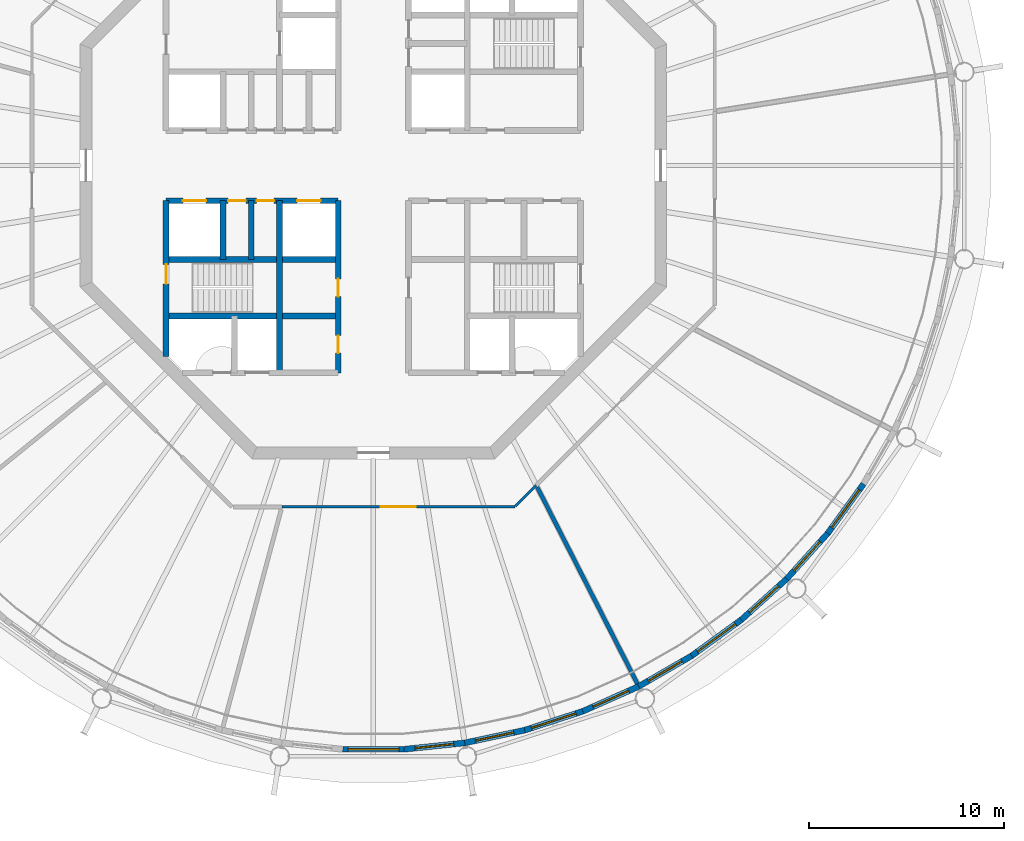
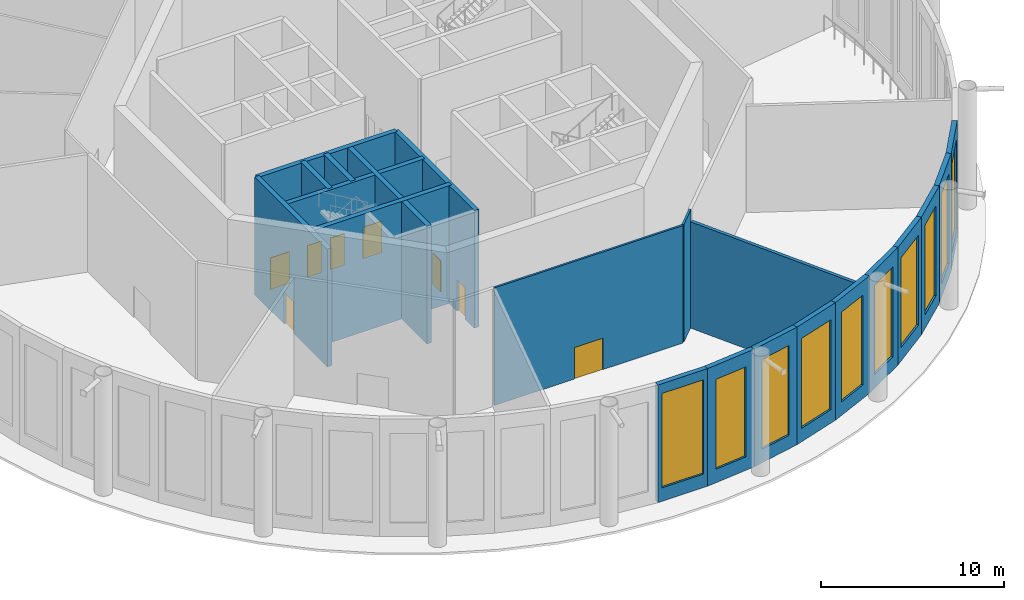
# One storey, part 4 of 17: 21 walls, 10 windows, 8 doors, 18 openings.
"""IFC4 building model written with IfcOpenShell, lengths in metres."""

from ifc_helpers import new_model, si_unit, direction, frame, frame_2d, origin, place, context, subcontext, project, spatial, polyline, rectangle, outline, extrude, material, layer, layer_set, type_object, element, fill, save


model = new_model("IFC4")

# Units and contexts
model_context = context("Model", 3, precision=1e-05, world=origin(), true_north=direction((0.0, 1.0)))
body_context = subcontext(model_context, "Body", "Model", "MODEL_VIEW")
ifc_project = project(units=[si_unit("LENGTHUNIT", "METRE"), si_unit("AREAUNIT", "SQUARE_METRE"), si_unit("VOLUMEUNIT", "CUBIC_METRE"), si_unit("PLANEANGLEUNIT", "RADIAN"), si_unit("MASSUNIT", "GRAM", prefix="KILO")], contexts=[model_context])

# Site, building, storey
site_placement = place(None, origin())
site = spatial("IfcSite", under=ifc_project, at=site_placement, CompositionType="ELEMENT")
building_placement = place(site_placement, origin())
building = spatial("IfcBuilding", under=site, at=building_placement, Name="Entoto Ring Tower", CompositionType="ELEMENT")
storey_placement = place(building_placement, frame((0.0, 0.0, 407.0)))
storey = spatial("IfcBuildingStorey", under=building, at=storey_placement, Name="L93", CompositionType="ELEMENT", Elevation=407.0)

# Wall, openings, doors
ifc_material_1 = material(Name="Concrete C40/50", Category="concrete")
ifc_layer_1 = layer(ifc_material_1, 0.300048828125)
ifc_layer_set_1 = layer_set([ifc_layer_1], Name="Concrete C40/50")
wall_type_1 = type_object("IfcWallType", Name="Core enclosure wall 300 mm reinforced concrete", PredefinedType="SOLIDWALL", material=ifc_layer_set_1)
wall_1_placement = place(storey_placement, frame((88.199951171875, 69.39990234375, 0.0), z_axis=(0.0, 0.0, 1.0), x_axis=(0.0, 1.0, 0.0)))
wall_1 = element("IfcWall", 1, at=wall_1_placement, inside=storey, type_object=wall_type_1, Name="wall-L93-010", PredefinedType="SOLIDWALL", context=body_context, shape_type="SweptSolid", body=[
    extrude(rectangle(XDim=8.800048828125, YDim=0.300048828125, at=frame_2d((4.39990234375, 0.0))), origin(), (0.0, 0.0, 1.0), 7.85009765625),
])
opening_1_placement = place(wall_1_placement, frame((3.89990234375, 0.0, 0.0)))
opening_1 = element("IfcOpeningElement", 2, at=opening_1_placement, cuts=wall_1, Name="Opening K-71", PredefinedType="OPENING", context=body_context, shape_type="SweptSolid", body=[
    extrude(rectangle(XDim=0.89990234375, YDim=2.10009765625, at=frame_2d((0.449951171875, 1.050048828125))), frame((0.0, 0.16015625, 0.0), z_axis=(0.0, -1.0, 0.0), x_axis=(1.0, 0.0, 0.0)), (0.0, 0.0, 1.0), 0.320068359375),
])
opening_2_placement = place(wall_1_placement, frame((1.0, 0.0, 0.0)))
opening_2 = element("IfcOpeningElement", 3, at=opening_2_placement, cuts=wall_1, Name="Opening K-24", PredefinedType="OPENING", context=body_context, shape_type="SweptSolid", body=[
    extrude(rectangle(XDim=0.89990234375, YDim=2.10009765625, at=frame_2d((0.449951171875, 1.050048828125))), frame((0.0, 0.16015625, 0.0), z_axis=(0.0, -1.0, 0.0), x_axis=(1.0, 0.0, 0.0)), (0.0, 0.0, 1.0), 0.320068359375),
])
ifc_material_2 = material(Name="Steel door leaf, fire rated", Category="steel")
ifc_layer_2 = layer(ifc_material_2, 0.050048828125)
ifc_layer_set_2 = layer_set([ifc_layer_2], Name="Steel door leaf, fire rated")
door_type_1 = type_object("IfcDoorType", Name="Core door 900 x 2100 single leaf", OperationType="NOTDEFINED", PredefinedType="DOOR", material=ifc_layer_set_2)
door_1_placement = place(opening_1_placement, origin())
door_1 = element("IfcDoor", 4, at=door_1_placement, inside=storey, type_object=door_type_1, Name="Door K-71", OperationType="SINGLE_SWING_RIGHT", OverallHeight=2.10009765625, OverallWidth=0.89990234375, PredefinedType="DOOR", context=body_context, shape_type="SweptSolid", body=[
    extrude(rectangle(XDim=0.89990234375, YDim=2.10009765625, at=frame_2d((0.449951171875, 1.050048828125))), frame((0.0, 0.02490234375, 0.0), z_axis=(0.0, -1.0, 0.0), x_axis=(1.0, 0.0, 0.0)), (0.0, 0.0, 1.0), 0.050048828125),
])
fill(opening_1, door_1)
door_2_placement = place(opening_2_placement, origin())
door_2 = element("IfcDoor", 5, at=door_2_placement, inside=storey, type_object=door_type_1, Name="Door K-24", OperationType="SINGLE_SWING_RIGHT", OverallHeight=2.10009765625, OverallWidth=0.89990234375, PredefinedType="DOOR", context=body_context, shape_type="SweptSolid", body=[
    extrude(rectangle(XDim=0.89990234375, YDim=2.10009765625, at=frame_2d((0.449951171875, 1.050048828125))), frame((0.0, 0.02490234375, 0.0), z_axis=(0.0, -1.0, 0.0), x_axis=(1.0, 0.0, 0.0)), (0.0, 0.0, 1.0), 0.050048828125),
])
fill(opening_2, door_2)

# Walls
wall_2_placement = place(storey_placement, frame((85.199951171875, 69.39990234375, 0.0), z_axis=(0.0, 0.0, 1.0), x_axis=(0.0, 1.0, 0.0)))
element("IfcWall", 6, at=wall_2_placement, inside=storey, type_object=wall_type_1, Name="wall-L93-013", PredefinedType="SOLIDWALL", context=body_context, shape_type="SweptSolid", body=[
    extrude(rectangle(XDim=8.800048828125, YDim=0.300048828125, at=frame_2d((4.39990234375, 0.0))), origin(), (0.0, 0.0, 1.0), 7.85009765625),
])
for number, where, z_axis, x_axis, name in (
    (7, (83.75, 75.199951171875, 0.0), (0.0, 0.0, 1.0), (0.0, 1.0, 0.0), "wall-L93-015"),
    (8, (82.300048828125, 75.199951171875, 0.0), (0.0, 0.0, 1.0), (0.0, 1.0, 0.0), "wall-L93-018"),
):
    element("IfcWall", number, at=place(storey_placement, frame(where, z_axis=z_axis, x_axis=x_axis)), inside=storey, type_object=wall_type_1, Name=name, PredefinedType="SOLIDWALL", context=body_context, shape_type="SweptSolid", body=[
        extrude(rectangle(XDim=3.0, YDim=0.300048828125, at=frame_2d((1.5, 0.0))), origin(), (0.0, 0.0, 1.0), 7.85009765625),
    ])

# Wall, opening, door
wall_3_placement = place(storey_placement, frame((79.39990234375, 70.2353515625, 0.0), z_axis=(0.0, 0.0, 1.0), x_axis=(0.0, 1.0, 0.0)))
wall_3 = element("IfcWall", 9, at=wall_3_placement, inside=storey, type_object=wall_type_1, Name="wall-L93-020", PredefinedType="SOLIDWALL", context=body_context, shape_type="SweptSolid", body=[
    extrude(rectangle(XDim=7.964599609375, YDim=0.300048828125, at=frame_2d((3.982421875, 0.0))), origin(), (0.0, 0.0, 1.0), 7.85009765625),
])
opening_3_placement = place(wall_3_placement, frame((3.714599609375, 0.0, 0.0)))
opening_3 = element("IfcOpeningElement", 10, at=opening_3_placement, cuts=wall_3, Name="Opening K-29", PredefinedType="OPENING", context=body_context, shape_type="SweptSolid", body=[
    extrude(rectangle(XDim=1.0, YDim=2.10009765625, at=frame_2d((0.5, 1.050048828125))), frame((0.0, 0.16015625, 0.0), z_axis=(0.0, -1.0, 0.0), x_axis=(1.0, 0.0, 0.0)), (0.0, 0.0, 1.0), 0.320068359375),
])
ifc_material_3 = material(Name="Steel door leaf, fire rated", Category="steel")
ifc_layer_3 = layer(ifc_material_3, 0.050048828125)
ifc_layer_set_3 = layer_set([ifc_layer_3], Name="Steel door leaf, fire rated")
door_type_2 = type_object("IfcDoorType", Name="Fire door FD60 1000 x 2100 single leaf", OperationType="NOTDEFINED", PredefinedType="DOOR", material=ifc_layer_set_3)
door_3_placement = place(opening_3_placement, frame((1.0, 0.0, 0.0), z_axis=(0.0, 0.0, 1.0), x_axis=(-1.0, 0.0, 0.0)))
door_3 = element("IfcDoor", 11, at=door_3_placement, inside=storey, type_object=door_type_2, Name="Door K-29", OperationType="SINGLE_SWING_LEFT", OverallHeight=2.10009765625, OverallWidth=1.0, PredefinedType="DOOR", context=body_context, shape_type="SweptSolid", body=[
    extrude(rectangle(XDim=1.0, YDim=2.10009765625, at=frame_2d((0.5, 1.050048828125))), frame((0.0, 0.02490234375, 0.0), z_axis=(0.0, -1.0, 0.0), x_axis=(1.0, 0.0, 0.0)), (0.0, 0.0, 1.0), 0.050048828125),
])
fill(opening_3, door_3)

# Walls
for number, where, z_axis, x_axis, name in (
    (12, (79.39990234375, 72.300048828125, 0.0), (0.0, 0.0, 1.0), (1.0, 0.0, 0.0), "wall-L93-024"),
    (13, (79.39990234375, 75.199951171875, 0.0), (0.0, 0.0, 1.0), (1.0, 0.0, 0.0), "wall-L93-026"),
):
    element("IfcWall", number, at=place(storey_placement, frame(where, z_axis=z_axis, x_axis=x_axis)), inside=storey, type_object=wall_type_1, Name=name, PredefinedType="SOLIDWALL", context=body_context, shape_type="SweptSolid", body=[
        extrude(rectangle(XDim=8.800048828125, YDim=0.300048828125, at=frame_2d((4.39990234375, 0.0))), origin(), (0.0, 0.0, 1.0), 7.85009765625),
    ])

# Wall, openings, doors
wall_4_placement = place(storey_placement, frame((79.39990234375, 78.199951171875, 0.0), z_axis=(0.0, 0.0, 1.0), x_axis=(1.0, 0.0, 0.0)))
wall_4 = element("IfcWall", 14, at=wall_4_placement, inside=storey, type_object=wall_type_1, Name="wall-L93-028", PredefinedType="SOLIDWALL", context=body_context, shape_type="SweptSolid", body=[
    extrude(rectangle(XDim=8.800048828125, YDim=0.300048828125, at=frame_2d((4.39990234375, 0.0))), origin(), (0.0, 0.0, 1.0), 7.85009765625),
])
opening_4_placement = place(wall_4_placement, frame((0.85009765625, 0.0, 0.0)))
opening_4 = element("IfcOpeningElement", 15, at=opening_4_placement, cuts=wall_4, Name="Opening LD", PredefinedType="OPENING", context=body_context, shape_type="SweptSolid", body=[
    extrude(rectangle(XDim=1.199951171875, YDim=2.10009765625, at=frame_2d((0.60009765625, 1.050048828125))), frame((0.0, 0.16015625, 0.0), z_axis=(0.0, -1.0, 0.0), x_axis=(1.0, 0.0, 0.0)), (0.0, 0.0, 1.0), 0.320068359375),
])
opening_5_placement = place(wall_4_placement, frame((6.699951171875, 0.0, 0.0)))
opening_5 = element("IfcOpeningElement", 16, at=opening_5_placement, cuts=wall_4, Name="Opening LD", PredefinedType="OPENING", context=body_context, shape_type="SweptSolid", body=[
    extrude(rectangle(XDim=1.199951171875, YDim=2.10009765625, at=frame_2d((0.60009765625, 1.050048828125))), frame((0.0, 0.16015625, 0.0), z_axis=(0.0, -1.0, 0.0), x_axis=(1.0, 0.0, 0.0)), (0.0, 0.0, 1.0), 0.320068359375),
])
opening_6_placement = place(wall_4_placement, frame((3.175048828125, 0.0, 0.0)))
opening_6 = element("IfcOpeningElement", 17, at=opening_6_placement, cuts=wall_4, Name="Opening K-18", PredefinedType="OPENING", context=body_context, shape_type="SweptSolid", body=[
    extrude(rectangle(XDim=0.89990234375, YDim=2.10009765625, at=frame_2d((0.449951171875, 1.050048828125))), frame((0.0, 0.16015625, 0.0), z_axis=(0.0, -1.0, 0.0), x_axis=(1.0, 0.0, 0.0)), (0.0, 0.0, 1.0), 0.320068359375),
])
opening_7_placement = place(wall_4_placement, frame((4.625, 0.0, 0.0)))
opening_7 = element("IfcOpeningElement", 18, at=opening_7_placement, cuts=wall_4, Name="Opening K-19", PredefinedType="OPENING", context=body_context, shape_type="SweptSolid", body=[
    extrude(rectangle(XDim=0.89990234375, YDim=2.10009765625, at=frame_2d((0.449951171875, 1.050048828125))), frame((0.0, 0.16015625, 0.0), z_axis=(0.0, -1.0, 0.0), x_axis=(1.0, 0.0, 0.0)), (0.0, 0.0, 1.0), 0.320068359375),
])
door_4_placement = place(opening_6_placement, frame((0.89990234375, 0.0, 0.0), z_axis=(0.0, 0.0, 1.0), x_axis=(-1.0, 0.0, 0.0)))
door_4 = element("IfcDoor", 19, at=door_4_placement, inside=storey, type_object=door_type_1, Name="Door K-18", OperationType="SINGLE_SWING_LEFT", OverallHeight=2.10009765625, OverallWidth=0.89990234375, PredefinedType="DOOR", context=body_context, shape_type="SweptSolid", body=[
    extrude(rectangle(XDim=0.89990234375, YDim=2.10009765625, at=frame_2d((0.449951171875, 1.050048828125))), frame((0.0, 0.02490234375, 0.0), z_axis=(0.0, -1.0, 0.0), x_axis=(1.0, 0.0, 0.0)), (0.0, 0.0, 1.0), 0.050048828125),
])
fill(opening_6, door_4)
door_5_placement = place(opening_7_placement, frame((0.89990234375, 0.0, 0.0), z_axis=(0.0, 0.0, 1.0), x_axis=(-1.0, 0.0, 0.0)))
door_5 = element("IfcDoor", 20, at=door_5_placement, inside=storey, type_object=door_type_1, Name="Door K-19", OperationType="SINGLE_SWING_LEFT", OverallHeight=2.10009765625, OverallWidth=0.89990234375, PredefinedType="DOOR", context=body_context, shape_type="SweptSolid", body=[
    extrude(rectangle(XDim=0.89990234375, YDim=2.10009765625, at=frame_2d((0.449951171875, 1.050048828125))), frame((0.0, 0.02490234375, 0.0), z_axis=(0.0, -1.0, 0.0), x_axis=(1.0, 0.0, 0.0)), (0.0, 0.0, 1.0), 0.050048828125),
])
fill(opening_7, door_5)
ifc_material_4 = material(Name="Steel and glass door leaf", Category="steel")
ifc_layer_4 = layer(ifc_material_4, 0.050048828125)
ifc_layer_set_4 = layer_set([ifc_layer_4], Name="Steel and glass door leaf")
door_type_3 = type_object("IfcDoorType", Name="Landing door 1200 x 2100 sliding", OperationType="DOUBLE_DOOR_SLIDING", PredefinedType="DOOR", material=ifc_layer_set_4)
door_6_placement = place(opening_4_placement, origin())
door_6 = element("IfcDoor", 21, at=door_6_placement, inside=storey, type_object=door_type_3, Name="Landing door SH2", OperationType="SLIDING_TO_RIGHT", OverallHeight=2.10009765625, OverallWidth=1.199951171875, PredefinedType="DOOR", context=body_context, shape_type="SweptSolid", body=[
    extrude(rectangle(XDim=1.199951171875, YDim=2.10009765625, at=frame_2d((0.60009765625, 1.050048828125))), frame((0.0, 0.02490234375, 0.0), z_axis=(0.0, -1.0, 0.0), x_axis=(1.0, 0.0, 0.0)), (0.0, 0.0, 1.0), 0.050048828125),
])
fill(opening_4, door_6)
door_7_placement = place(opening_5_placement, origin())
door_7 = element("IfcDoor", 22, at=door_7_placement, inside=storey, type_object=door_type_3, Name="Landing door OB2", OperationType="SLIDING_TO_LEFT", OverallHeight=2.10009765625, OverallWidth=1.199951171875, PredefinedType="DOOR", context=body_context, shape_type="SweptSolid", body=[
    extrude(rectangle(XDim=1.199951171875, YDim=2.10009765625, at=frame_2d((0.60009765625, 1.050048828125))), frame((0.0, 0.02490234375, 0.0), z_axis=(0.0, -1.0, 0.0), x_axis=(1.0, 0.0, 0.0)), (0.0, 0.0, 1.0), 0.050048828125),
])
fill(opening_5, door_7)

# Wall, opening, door
ifc_material_5 = material(Name="Fire-resisting plasterboard on steel studs", Category="steel")
ifc_layer_5 = layer(ifc_material_5, 0.125)
ifc_layer_set_5 = layer_set([ifc_layer_5], Name="Fire-resisting plasterboard on steel studs")
wall_type_2 = type_object("IfcWallType", Name="Corridor wall 125 mm one-hour plasterboard on steel studs", PredefinedType="PARTITIONING", material=ifc_layer_set_5)
wall_5_placement = place(storey_placement, frame((85.32080078125, 62.53759765625, 0.0), z_axis=(0.0, 0.0, 1.0), x_axis=(1.0, 0.0, 0.0)))
wall_5 = element("IfcWall", 23, at=wall_5_placement, inside=storey, type_object=wall_type_2, Name="partition-L93-004", PredefinedType="PARTITIONING", context=body_context, shape_type="SweptSolid", body=[
    extrude(rectangle(XDim=11.912353515625, YDim=0.125, at=frame_2d((5.9560546875, 0.0))), origin(), (0.0, 0.0, 1.0), 7.85009765625),
])
opening_8_placement = place(wall_5_placement, frame((5.05615234375, 0.0, 0.0)))
opening_8 = element("IfcOpeningElement", 24, at=opening_8_placement, cuts=wall_5, Name="Opening A41-D10", PredefinedType="OPENING", context=body_context, shape_type="SweptSolid", body=[
    extrude(rectangle(XDim=1.800048828125, YDim=2.10009765625, at=frame_2d((0.89990234375, 1.050048828125))), frame((0.0, 0.072509765625, 0.0), z_axis=(0.0, -1.0, 0.0), x_axis=(1.0, 0.0, 0.0)), (0.0, 0.0, 1.0), 0.14501953125),
])
ifc_material_6 = material(Name="Fire-resisting timber door set", Category="wood")
door_type_4 = type_object("IfcDoorType", Name="Door 1800 x 2100 double leaf FD30S fire door", OperationType="DOUBLE_DOOR_SINGLE_SWING", PredefinedType="DOOR", material=ifc_material_6)
door_8_placement = place(opening_8_placement, origin())
door_8 = element("IfcDoor", 25, at=door_8_placement, inside=storey, type_object=door_type_4, Name="Door A41-D10", OperationType="DOUBLE_DOOR_SINGLE_SWING", OverallHeight=2.10009765625, OverallWidth=1.800048828125, PredefinedType="DOOR", context=body_context, shape_type="SweptSolid", body=[
    extrude(rectangle(XDim=1.800048828125, YDim=2.10009765625, at=frame_2d((0.89990234375, 1.050048828125))), frame((0.0, 0.02490234375, 0.0), z_axis=(0.0, -1.0, 0.0), x_axis=(1.0, 0.0, 0.0)), (0.0, 0.0, 1.0), 0.050048828125),
])
fill(opening_8, door_8)

# Wall
wall_6_placement = place(storey_placement, frame((97.264404296875, 62.568603515625, 0.0), z_axis=(0.0, 0.0, 1.0), x_axis=(0.70702621299, 0.707187340204, 0.0)))
element("IfcWall", 26, at=wall_6_placement, inside=storey, type_object=wall_type_2, Name="partition-L93-007", PredefinedType="PARTITIONING", context=body_context, shape_type="SweptSolid", body=[
    extrude(rectangle(XDim=1.51513671875, YDim=0.125, at=frame_2d((0.757568359375, 0.0))), origin(), (0.0, 0.0, 1.0), 7.85009765625),
])

# Wall, opening, window
ifc_material_7 = material(Name="Insulated aluminium rainscreen on steel studs", Category="steel")
ifc_layer_6 = layer(ifc_material_7, 0.300048828125)
ifc_layer_set_6 = layer_set([ifc_layer_6], Name="Insulated aluminium rainscreen on steel studs")
wall_type_3 = type_object("IfcWallType", Name="Observation facade wall 300 mm", PredefinedType="STANDARD", material=ifc_layer_set_6)
wall_7_placement = place(storey_placement, frame((88.43505859375, 50.140869140625, 0.0), z_axis=(0.0, 0.0, 1.0), x_axis=(1.0, 0.0, 0.0)))
wall_7 = element("IfcWall", 27, at=wall_7_placement, inside=storey, type_object=wall_type_3, Name="OBSERVATION WALL 43", PredefinedType="STANDARD", context=body_context, shape_type="SweptSolid", body=[
    extrude(outline(polyline([(-0.0078125, -0.14990234375), (3.1376953125, -0.14990234375), (3.1220703125, 0.14990234375), (0.0078125, 0.14990234375), (-0.0078125, -0.14990234375)])), origin(), (0.0, 0.0, 1.0), 7.85009765625),
])
opening_9_placement = place(wall_7_placement, frame((0.264892578125, 0.0, 0.89990234375)))
opening_9 = element("IfcOpeningElement", 28, at=opening_9_placement, cuts=wall_7, Name="Opening W3", PredefinedType="OPENING", context=body_context, shape_type="SweptSolid", body=[
    extrude(rectangle(XDim=2.60009765625, YDim=6.300048828125, at=frame_2d((1.300048828125, 3.14990234375))), frame((0.0, 0.16015625, 0.0), z_axis=(0.0, -1.0, 0.0), x_axis=(1.0, 0.0, 0.0)), (0.0, 0.0, 1.0), 0.320068359375),
])
ifc_material_8 = material(Name="Clear low-iron glass in anodised aluminium frame", Category="aluminium")
window_type_1 = type_object("IfcWindowType", Name="Observation window W3 2600 x 6300 mm fixed", PartitioningType="SINGLE_PANEL", PredefinedType="WINDOW", material=ifc_material_8)
window_1_placement = place(opening_9_placement, origin())
window_1 = element("IfcWindow", 29, at=window_1_placement, inside=storey, type_object=window_type_1, Name="OBSERVATION WINDOW 43", OverallHeight=6.300048828125, OverallWidth=2.60009765625, PartitioningType="SINGLE_PANEL", PredefinedType="WINDOW", context=body_context, shape_type="SweptSolid", body=[
    extrude(rectangle(XDim=2.60009765625, YDim=6.300048828125, at=frame_2d((1.300048828125, 3.14990234375))), frame((0.0, 0.030029296875, 0.0), z_axis=(0.0, -1.0, 0.0), x_axis=(1.0, 0.0, 0.0)), (0.0, 0.0, 1.0), 0.06005859375),
])
fill(opening_9, window_1)

wall_8_placement = place(storey_placement, frame((91.56494140625, 50.140869140625, 0.0), z_axis=(0.0, 0.0, 1.0), x_axis=(0.994521683674, 0.10453047738, 0.0)))
wall_8 = element("IfcWall", 30, at=wall_8_placement, inside=storey, type_object=wall_type_3, Name="OBSERVATION WALL 44", PredefinedType="STANDARD", context=body_context, shape_type="SweptSolid", body=[
    extrude(outline(polyline([(-0.0078125, -0.14990234375), (3.137451171875, -0.14990234375), (3.121826171875, 0.14990234375), (0.0078125, 0.14990234375), (-0.0078125, -0.14990234375)])), origin(), (0.0, 0.0, 1.0), 7.85009765625),
])
opening_10_placement = place(wall_8_placement, frame((0.56494140625, 0.0, 0.89990234375)))
opening_10 = element("IfcOpeningElement", 31, at=opening_10_placement, cuts=wall_8, Name="Opening W2", PredefinedType="OPENING", context=body_context, shape_type="SweptSolid", body=[
    extrude(rectangle(XDim=2.0, YDim=6.0, at=frame_2d((1.0, 3.0))), frame((0.0, 0.16015625, 0.0), z_axis=(0.0, -1.0, 0.0), x_axis=(1.0, 0.0, 0.0)), (0.0, 0.0, 1.0), 0.320068359375),
])
ifc_material_9 = material(Name="Clear low-iron glass in anodised aluminium frame", Category="aluminium")
window_type_2 = type_object("IfcWindowType", Name="Observation window W2 2000 x 6000 mm fixed", PartitioningType="SINGLE_PANEL", PredefinedType="WINDOW", material=ifc_material_9)
window_2_placement = place(opening_10_placement, origin())
window_2 = element("IfcWindow", 32, at=window_2_placement, inside=storey, type_object=window_type_2, Name="OBSERVATION WINDOW 44", OverallHeight=6.0, OverallWidth=2.0, PartitioningType="SINGLE_PANEL", PredefinedType="WINDOW", context=body_context, shape_type="SweptSolid", body=[
    extrude(rectangle(XDim=2.0, YDim=6.0, at=frame_2d((1.0, 3.0))), frame((0.0, 0.030029296875, 0.0), z_axis=(0.0, -1.0, 0.0), x_axis=(1.0, 0.0, 0.0)), (0.0, 0.0, 1.0), 0.06005859375),
])
fill(opening_10, window_2)

wall_9_placement = place(storey_placement, frame((94.677490234375, 50.468017578125, 0.0), z_axis=(0.0, 0.0, 1.0), x_axis=(0.978135649005, 0.207967911336, 0.0)))
wall_9 = element("IfcWall", 33, at=wall_9_placement, inside=storey, type_object=wall_type_3, Name="OBSERVATION WALL 45", PredefinedType="STANDARD", context=body_context, shape_type="SweptSolid", body=[
    extrude(outline(polyline([(-0.0078125, -0.14990234375), (3.137451171875, -0.14990234375), (3.121826171875, 0.14990234375), (0.0078125, 0.14990234375), (-0.0078125, -0.14990234375)])), origin(), (0.0, 0.0, 1.0), 7.85009765625),
])
opening_11_placement = place(wall_9_placement, frame((0.56494140625, 0.0, 0.89990234375)))
opening_11 = element("IfcOpeningElement", 34, at=opening_11_placement, cuts=wall_9, Name="Opening W2", PredefinedType="OPENING", context=body_context, shape_type="SweptSolid", body=[
    extrude(rectangle(XDim=2.0, YDim=6.0, at=frame_2d((1.0, 3.0))), frame((0.0, 0.16015625, 0.0), z_axis=(0.0, -1.0, 0.0), x_axis=(1.0, 0.0, 0.0)), (0.0, 0.0, 1.0), 0.320068359375),
])
window_3_placement = place(opening_11_placement, origin())
window_3 = element("IfcWindow", 35, at=window_3_placement, inside=storey, type_object=window_type_2, Name="OBSERVATION WINDOW 45", OverallHeight=6.0, OverallWidth=2.0, PartitioningType="SINGLE_PANEL", PredefinedType="WINDOW", context=body_context, shape_type="SweptSolid", body=[
    extrude(rectangle(XDim=2.0, YDim=6.0, at=frame_2d((1.0, 3.0))), frame((0.0, 0.030029296875, 0.0), z_axis=(0.0, -1.0, 0.0), x_axis=(1.0, 0.0, 0.0)), (0.0, 0.0, 1.0), 0.06005859375),
])
fill(opening_11, window_3)

wall_10_placement = place(storey_placement, frame((97.73876953125, 51.118896484375, 0.0), z_axis=(0.0, 0.0, 1.0), x_axis=(0.951058717696, 0.309010219079, 0.0)))
wall_10 = element("IfcWall", 36, at=wall_10_placement, inside=storey, type_object=wall_type_3, Name="OBSERVATION WALL 46", PredefinedType="STANDARD", context=body_context, shape_type="SweptSolid", body=[
    extrude(outline(polyline([(-0.0078125, -0.14990234375), (3.13720703125, -0.14990234375), (3.12158203125, 0.14990234375), (0.0078125, 0.14990234375), (-0.0078125, -0.14990234375)])), origin(), (0.0, 0.0, 1.0), 7.85009765625),
])
opening_12_placement = place(wall_10_placement, frame((0.36474609375, 0.0, 0.89990234375)))
opening_12 = element("IfcOpeningElement", 37, at=opening_12_placement, cuts=wall_10, Name="Opening W1", PredefinedType="OPENING", context=body_context, shape_type="SweptSolid", body=[
    extrude(rectangle(XDim=2.39990234375, YDim=6.0, at=frame_2d((1.199951171875, 3.0))), frame((0.0, 0.16015625, 0.0), z_axis=(0.0, -1.0, 0.0), x_axis=(1.0, 0.0, 0.0)), (0.0, 0.0, 1.0), 0.320068359375),
])
ifc_material_10 = material(Name="Clear low-iron glass in anodised aluminium frame", Category="aluminium")
window_type_3 = type_object("IfcWindowType", Name="Observation window W1 2400 x 6000 mm fixed", PartitioningType="SINGLE_PANEL", PredefinedType="WINDOW", material=ifc_material_10)
window_4_placement = place(opening_12_placement, origin())
window_4 = element("IfcWindow", 38, at=window_4_placement, inside=storey, type_object=window_type_3, Name="OBSERVATION WINDOW 46", OverallHeight=6.0, OverallWidth=2.39990234375, PartitioningType="SINGLE_PANEL", PredefinedType="WINDOW", context=body_context, shape_type="SweptSolid", body=[
    extrude(rectangle(XDim=2.39990234375, YDim=6.0, at=frame_2d((1.199951171875, 3.0))), frame((0.0, 0.030029296875, 0.0), z_axis=(0.0, -1.0, 0.0), x_axis=(1.0, 0.0, 0.0)), (0.0, 0.0, 1.0), 0.06005859375),
])
fill(opening_12, window_4)

wall_11_placement = place(storey_placement, frame((100.715087890625, 52.0859375, 0.0), z_axis=(0.0, 0.0, 1.0), x_axis=(0.913547577445, 0.406731881889, 0.0)))
wall_11 = element("IfcWall", 39, at=wall_11_placement, inside=storey, type_object=wall_type_3, Name="OBSERVATION WALL 47", PredefinedType="STANDARD", context=body_context, shape_type="SweptSolid", body=[
    extrude(outline(polyline([(-0.0078125, -0.14990234375), (3.137451171875, -0.14990234375), (3.121826171875, 0.14990234375), (0.0078125, 0.14990234375), (-0.0078125, -0.14990234375)])), origin(), (0.0, 0.0, 1.0), 7.85009765625),
])
opening_13_placement = place(wall_11_placement, frame((0.56494140625, 0.0, 0.89990234375)))
opening_13 = element("IfcOpeningElement", 40, at=opening_13_placement, cuts=wall_11, Name="Opening W2", PredefinedType="OPENING", context=body_context, shape_type="SweptSolid", body=[
    extrude(rectangle(XDim=2.0, YDim=6.0, at=frame_2d((1.0, 3.0))), frame((0.0, 0.16015625, 0.0), z_axis=(0.0, -1.0, 0.0), x_axis=(1.0, 0.0, 0.0)), (0.0, 0.0, 1.0), 0.320068359375),
])
window_5_placement = place(opening_13_placement, origin())
window_5 = element("IfcWindow", 41, at=window_5_placement, inside=storey, type_object=window_type_2, Name="OBSERVATION WINDOW 47", OverallHeight=6.0, OverallWidth=2.0, PartitioningType="SINGLE_PANEL", PredefinedType="WINDOW", context=body_context, shape_type="SweptSolid", body=[
    extrude(rectangle(XDim=2.0, YDim=6.0, at=frame_2d((1.0, 3.0))), frame((0.0, 0.030029296875, 0.0), z_axis=(0.0, -1.0, 0.0), x_axis=(1.0, 0.0, 0.0)), (0.0, 0.0, 1.0), 0.06005859375),
])
fill(opening_13, window_5)

wall_12_placement = place(storey_placement, frame((103.57421875, 53.35888671875, 0.0), z_axis=(0.0, 0.0, 1.0), x_axis=(0.866016712352, 0.5000150537, 0.0)))
wall_12 = element("IfcWall", 42, at=wall_12_placement, inside=storey, type_object=wall_type_3, Name="OBSERVATION WALL 48", PredefinedType="STANDARD", context=body_context, shape_type="SweptSolid", body=[
    extrude(outline(polyline([(-0.0078125, -0.14990234375), (3.1376953125, -0.14990234375), (3.1220703125, 0.14990234375), (0.0078125, 0.14990234375), (-0.0078125, -0.14990234375)])), origin(), (0.0, 0.0, 1.0), 7.85009765625),
])
opening_14_placement = place(wall_12_placement, frame((0.56494140625, 0.0, 0.89990234375)))
opening_14 = element("IfcOpeningElement", 43, at=opening_14_placement, cuts=wall_12, Name="Opening W2", PredefinedType="OPENING", context=body_context, shape_type="SweptSolid", body=[
    extrude(rectangle(XDim=2.0, YDim=6.0, at=frame_2d((1.0, 3.0))), frame((0.0, 0.16015625, 0.0), z_axis=(0.0, -1.0, 0.0), x_axis=(1.0, 0.0, 0.0)), (0.0, 0.0, 1.0), 0.320068359375),
])
window_6_placement = place(opening_14_placement, origin())
window_6 = element("IfcWindow", 44, at=window_6_placement, inside=storey, type_object=window_type_2, Name="OBSERVATION WINDOW 48", OverallHeight=6.0, OverallWidth=2.0, PartitioningType="SINGLE_PANEL", PredefinedType="WINDOW", context=body_context, shape_type="SweptSolid", body=[
    extrude(rectangle(XDim=2.0, YDim=6.0, at=frame_2d((1.0, 3.0))), frame((0.0, 0.030029296875, 0.0), z_axis=(0.0, -1.0, 0.0), x_axis=(1.0, 0.0, 0.0)), (0.0, 0.0, 1.0), 0.06005859375),
])
fill(opening_14, window_6)

wall_13_placement = place(storey_placement, frame((106.28466796875, 54.923828125, 0.0), z_axis=(0.0, 0.0, 1.0), x_axis=(0.809015976417, 0.587786653389, 0.0)))
wall_13 = element("IfcWall", 45, at=wall_13_placement, inside=storey, type_object=wall_type_3, Name="OBSERVATION WALL 49", PredefinedType="STANDARD", context=body_context, shape_type="SweptSolid", body=[
    extrude(outline(polyline([(-0.0078125, -0.14990234375), (3.137451171875, -0.14990234375), (3.121826171875, 0.14990234375), (0.0078125, 0.14990234375), (-0.0078125, -0.14990234375)])), origin(), (0.0, 0.0, 1.0), 7.85009765625),
])
opening_15_placement = place(wall_13_placement, frame((0.36474609375, 0.0, 0.89990234375)))
opening_15 = element("IfcOpeningElement", 46, at=opening_15_placement, cuts=wall_13, Name="Opening W1", PredefinedType="OPENING", context=body_context, shape_type="SweptSolid", body=[
    extrude(rectangle(XDim=2.39990234375, YDim=6.0, at=frame_2d((1.199951171875, 3.0))), frame((0.0, 0.16015625, 0.0), z_axis=(0.0, -1.0, 0.0), x_axis=(1.0, 0.0, 0.0)), (0.0, 0.0, 1.0), 0.320068359375),
])
window_7_placement = place(opening_15_placement, origin())
window_7 = element("IfcWindow", 47, at=window_7_placement, inside=storey, type_object=window_type_3, Name="OBSERVATION WINDOW 49", OverallHeight=6.0, OverallWidth=2.39990234375, PartitioningType="SINGLE_PANEL", PredefinedType="WINDOW", context=body_context, shape_type="SweptSolid", body=[
    extrude(rectangle(XDim=2.39990234375, YDim=6.0, at=frame_2d((1.199951171875, 3.0))), frame((0.0, 0.030029296875, 0.0), z_axis=(0.0, -1.0, 0.0), x_axis=(1.0, 0.0, 0.0)), (0.0, 0.0, 1.0), 0.06005859375),
])
fill(opening_15, window_7)

wall_14_placement = place(storey_placement, frame((108.816650390625, 56.763427734375, 0.0), z_axis=(0.0, 0.0, 1.0), x_axis=(0.743189407153, 0.669081090075, 0.0)))
wall_14 = element("IfcWall", 48, at=wall_14_placement, inside=storey, type_object=wall_type_3, Name="OBSERVATION WALL 50", PredefinedType="STANDARD", context=body_context, shape_type="SweptSolid", body=[
    extrude(outline(polyline([(-0.0078125, -0.14990234375), (3.137451171875, -0.14990234375), (3.121826171875, 0.14990234375), (0.0078125, 0.14990234375), (-0.0078125, -0.14990234375)])), origin(), (0.0, 0.0, 1.0), 7.85009765625),
])
opening_16_placement = place(wall_14_placement, frame((0.56494140625, 0.0, 0.89990234375)))
opening_16 = element("IfcOpeningElement", 49, at=opening_16_placement, cuts=wall_14, Name="Opening W2", PredefinedType="OPENING", context=body_context, shape_type="SweptSolid", body=[
    extrude(rectangle(XDim=2.0, YDim=6.0, at=frame_2d((1.0, 3.0))), frame((0.0, 0.16015625, 0.0), z_axis=(0.0, -1.0, 0.0), x_axis=(1.0, 0.0, 0.0)), (0.0, 0.0, 1.0), 0.320068359375),
])
window_8_placement = place(opening_16_placement, origin())
window_8 = element("IfcWindow", 50, at=window_8_placement, inside=storey, type_object=window_type_2, Name="OBSERVATION WINDOW 50", OverallHeight=6.0, OverallWidth=2.0, PartitioningType="SINGLE_PANEL", PredefinedType="WINDOW", context=body_context, shape_type="SweptSolid", body=[
    extrude(rectangle(XDim=2.0, YDim=6.0, at=frame_2d((1.0, 3.0))), frame((0.0, 0.030029296875, 0.0), z_axis=(0.0, -1.0, 0.0), x_axis=(1.0, 0.0, 0.0)), (0.0, 0.0, 1.0), 0.06005859375),
])
fill(opening_16, window_8)

wall_15_placement = place(storey_placement, frame((111.142578125, 58.857421875, 0.0), z_axis=(0.0, 0.0, 1.0), x_axis=(0.669081090075, 0.743189407153, 0.0)))
wall_15 = element("IfcWall", 51, at=wall_15_placement, inside=storey, type_object=wall_type_3, Name="OBSERVATION WALL 51", PredefinedType="STANDARD", context=body_context, shape_type="SweptSolid", body=[
    extrude(outline(polyline([(-0.0078125, -0.14990234375), (3.137451171875, -0.14990234375), (3.121826171875, 0.14990234375), (0.0078125, 0.14990234375), (-0.0078125, -0.14990234375)])), origin(), (0.0, 0.0, 1.0), 7.85009765625),
])
opening_17_placement = place(wall_15_placement, frame((0.56494140625, 0.0, 0.89990234375)))
opening_17 = element("IfcOpeningElement", 52, at=opening_17_placement, cuts=wall_15, Name="Opening W2", PredefinedType="OPENING", context=body_context, shape_type="SweptSolid", body=[
    extrude(rectangle(XDim=2.0, YDim=6.0, at=frame_2d((1.0, 3.0))), frame((0.0, 0.16015625, 0.0), z_axis=(0.0, -1.0, 0.0), x_axis=(1.0, 0.0, 0.0)), (0.0, 0.0, 1.0), 0.320068359375),
])
window_9_placement = place(opening_17_placement, origin())
window_9 = element("IfcWindow", 53, at=window_9_placement, inside=storey, type_object=window_type_2, Name="OBSERVATION WINDOW 51", OverallHeight=6.0, OverallWidth=2.0, PartitioningType="SINGLE_PANEL", PredefinedType="WINDOW", context=body_context, shape_type="SweptSolid", body=[
    extrude(rectangle(XDim=2.0, YDim=6.0, at=frame_2d((1.0, 3.0))), frame((0.0, 0.030029296875, 0.0), z_axis=(0.0, -1.0, 0.0), x_axis=(1.0, 0.0, 0.0)), (0.0, 0.0, 1.0), 0.06005859375),
])
fill(opening_17, window_9)

wall_16_placement = place(storey_placement, frame((113.236572265625, 61.183349609375, 0.0), z_axis=(0.0, 0.0, 1.0), x_axis=(0.587786653389, 0.809015976417, 0.0)))
wall_16 = element("IfcWall", 54, at=wall_16_placement, inside=storey, type_object=wall_type_3, Name="OBSERVATION WALL 52", PredefinedType="STANDARD", context=body_context, shape_type="SweptSolid", body=[
    extrude(outline(polyline([(-0.0078125, -0.14990234375), (3.137451171875, -0.14990234375), (3.121826171875, 0.14990234375), (0.0078125, 0.14990234375), (-0.0078125, -0.14990234375)])), origin(), (0.0, 0.0, 1.0), 7.85009765625),
])
opening_18_placement = place(wall_16_placement, frame((0.36474609375, 0.0, 0.89990234375)))
opening_18 = element("IfcOpeningElement", 55, at=opening_18_placement, cuts=wall_16, Name="Opening W1", PredefinedType="OPENING", context=body_context, shape_type="SweptSolid", body=[
    extrude(rectangle(XDim=2.39990234375, YDim=6.0, at=frame_2d((1.199951171875, 3.0))), frame((0.0, 0.16015625, 0.0), z_axis=(0.0, -1.0, 0.0), x_axis=(1.0, 0.0, 0.0)), (0.0, 0.0, 1.0), 0.320068359375),
])
window_10_placement = place(opening_18_placement, origin())
window_10 = element("IfcWindow", 56, at=window_10_placement, inside=storey, type_object=window_type_3, Name="OBSERVATION WINDOW 52", OverallHeight=6.0, OverallWidth=2.39990234375, PartitioningType="SINGLE_PANEL", PredefinedType="WINDOW", context=body_context, shape_type="SweptSolid", body=[
    extrude(rectangle(XDim=2.39990234375, YDim=6.0, at=frame_2d((1.199951171875, 3.0))), frame((0.0, 0.030029296875, 0.0), z_axis=(0.0, -1.0, 0.0), x_axis=(1.0, 0.0, 0.0)), (0.0, 0.0, 1.0), 0.06005859375),
])
fill(opening_18, window_10)

# Wall
ifc_material_11 = material(Name="Concrete C20/25", Category="concrete")
ifc_layer_7 = layer(ifc_material_11, 0.199951171875)
ifc_layer_set_7 = layer_set([ifc_layer_7], Name="Concrete C20/25")
wall_type_4 = type_object("IfcWallType", Name="Plant room wall 200 mm two-hour concrete, 7097 mm high", PredefinedType="PARTITIONING", material=ifc_layer_set_7)
wall_17_placement = place(storey_placement, frame((103.592529296875, 53.3232421875, 0.0), z_axis=(0.0, 0.0, 1.0), x_axis=(-0.453988535767, 0.891007524879, 0.0)))
element("IfcWall", 57, at=wall_17_placement, inside=storey, type_object=wall_type_4, Name="partition-L93-021", PredefinedType="PARTITIONING", context=body_context, shape_type="SweptSolid", body=[
    extrude(rectangle(XDim=11.480712890625, YDim=0.199951171875, at=frame_2d((5.740234375, 0.0))), origin(), (0.0, 0.0, 1.0), 7.096923828125),
])

save(model, "model.ifc")
